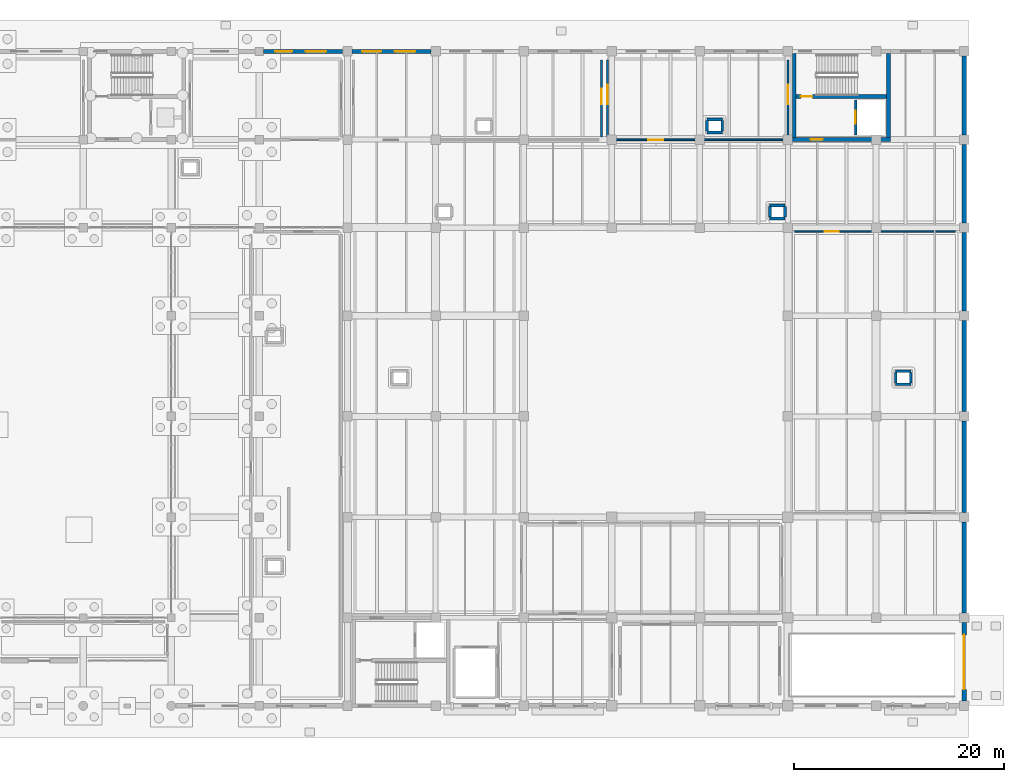
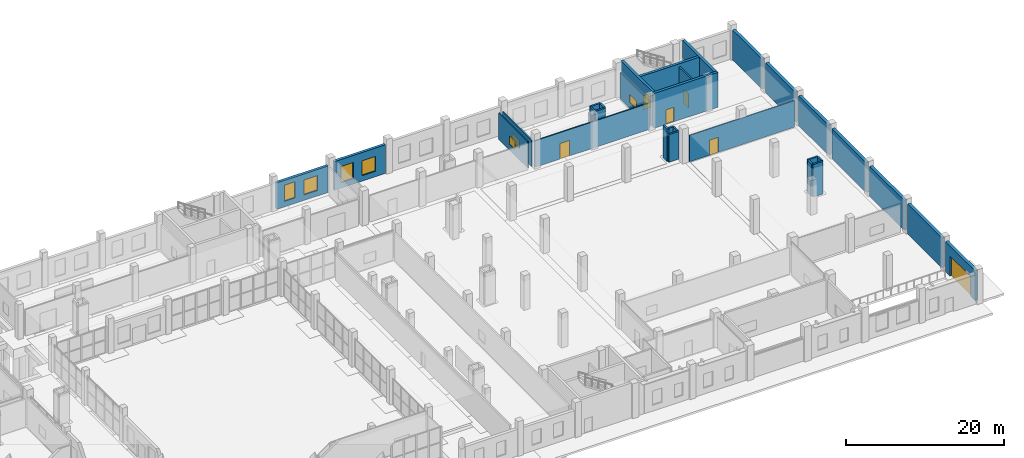
# One storey, part 48 of 65: 31 walls, 7 windows, 6 doors, 13 openings.
"""IFC4 building model written with IfcOpenShell, lengths in metres."""

from ifc_helpers import new_model, si_unit, direction, frame, frame_2d, origin, place, context, subcontext, project, spatial, rectangle, extrude, material, layer, layer_set, type_object, element, fill, save


model = new_model("IFC4")

# Units and contexts
model_context = context("Model", 3, precision=1e-05, world=origin(), true_north=direction((0.0, 1.0)))
body_context = subcontext(model_context, "Body", "Model", "MODEL_VIEW")
ifc_project = project(units=[si_unit("LENGTHUNIT", "METRE"), si_unit("AREAUNIT", "SQUARE_METRE"), si_unit("VOLUMEUNIT", "CUBIC_METRE"), si_unit("PLANEANGLEUNIT", "RADIAN"), si_unit("MASSUNIT", "GRAM", prefix="KILO")], contexts=[model_context])

# Site, building, storey
site_placement = place(None, origin())
site = spatial("IfcSite", under=ifc_project, at=site_placement, CompositionType="ELEMENT")
building_placement = place(site_placement, origin())
building = spatial("IfcBuilding", under=site, at=building_placement, Name="Zulmaris Art Gallery", CompositionType="ELEMENT")
storey_placement = place(building_placement, origin())
storey = spatial("IfcBuildingStorey", under=building, at=storey_placement, Name="L00", CompositionType="ELEMENT", Elevation=0.0)

# Wall, opening, door
ifc_material_1 = material(Name="Omani Cream Limestone Ashlar Masonry", Category="masonry")
ifc_layer_1 = layer(ifc_material_1, 0.43994140625)
ifc_layer_set_1 = layer_set([ifc_layer_1], Name="Omani Cream Limestone Ashlar Masonry")
wall_type_1 = type_object("IfcWallType", Name="ENV-WALL-EW01", PredefinedType="SOLIDWALL", material=ifc_layer_set_1)
wall_1_placement = place(storey_placement, frame((200.39990234375, 21.14794921875, 0.0), z_axis=(0.0, 0.0, 1.0), x_axis=(0.0, -1.0, 0.0)))
wall_1 = element("IfcWall", 1, at=wall_1_placement, inside=storey, type_object=wall_type_1, Name="L00 V5 Vehicle Ramp Grade Portal Wall", PredefinedType="SOLIDWALL", context=body_context, shape_type="SweptSolid", body=[
    extrude(rectangle(XDim=7.495849609375, YDim=0.43994140625, at=frame_2d((3.748046875, 0.0))), origin(), (0.0, 0.0, 1.0), 4.639892578125),
])
opening_1_placement = place(wall_1_placement, frame((1.16796875, 0.0, 0.0)))
opening_1 = element("IfcOpeningElement", 2, at=opening_1_placement, cuts=wall_1, Name="Opening RS02", PredefinedType="OPENING", context=body_context, shape_type="SweptSolid", body=[
    extrude(rectangle(XDim=5.199951171875, YDim=3.10009765625, at=frame_2d((2.60009765625, 1.550048828125))), frame((0.0, 0.22998046875, 0.0), z_axis=(0.0, -1.0, 0.0), x_axis=(1.0, 0.0, 0.0)), (0.0, 0.0, 1.0), 0.4599609375),
])
ifc_material_2 = material(Name="Perforated Bronze Basement Ramp Roller Gate", Category="steel")
door_type_1 = type_object("IfcDoorType", Name="EDOOR-RS02", OperationType="ROLLINGUP", PredefinedType="GATE", material=ifc_material_2)
door_1_placement = place(opening_1_placement, origin())
door_1 = element("IfcDoor", 3, at=door_1_placement, inside=storey, type_object=door_type_1, Name="Vehicle Ramp Grade Roller Shutter Gate RS02", OperationType="ROLLINGUP", OverallHeight=3.10009765625, OverallWidth=5.199951171875, PredefinedType="GATE", context=body_context, shape_type="SweptSolid", body=[
    extrude(rectangle(XDim=5.199951171875, YDim=3.10009765625, at=frame_2d((2.60009765625, 1.550048828125))), frame((0.0, 0.02490234375, 0.0), z_axis=(0.0, -1.0, 0.0), x_axis=(1.0, 0.0, 0.0)), (0.0, 0.0, 1.0), 0.050048828125),
])
fill(opening_1, door_1)

# Walls
wall_2_placement = place(storey_placement, frame((200.39990234375, 22.052001953125, 0.0), z_axis=(0.0, 0.0, 1.0), x_axis=(0.0, 1.0, 0.0)))
element("IfcWall", 4, at=wall_2_placement, inside=storey, type_object=wall_type_1, Name="L00 V5 East Infill Party Wall", PredefinedType="SOLIDWALL", context=body_context, shape_type="SweptSolid", body=[
    extrude(rectangle(XDim=8.696044921875, YDim=0.43994140625, at=frame_2d((4.34814453125, 0.0))), origin(), (0.0, 0.0, 1.0), 4.639892578125),
])
wall_3_placement = place(storey_placement, frame((200.39990234375, 31.652099609375, 0.0), z_axis=(0.0, 0.0, 1.0), x_axis=(0.0, 1.0, 0.0)))
element("IfcWall", 5, at=wall_3_placement, inside=storey, type_object=wall_type_1, Name="L00 V5 East Infill Party Wall", PredefinedType="SOLIDWALL", context=body_context, shape_type="SweptSolid", body=[
    extrude(rectangle(XDim=8.69580078125, YDim=0.43994140625, at=frame_2d((4.347900390625, 0.0))), origin(), (0.0, 0.0, 1.0), 4.639892578125),
])
wall_4_placement = place(storey_placement, frame((200.39990234375, 41.251953125, 0.0), z_axis=(0.0, 0.0, 1.0), x_axis=(0.0, 1.0, 0.0)))
element("IfcWall", 6, at=wall_4_placement, inside=storey, type_object=wall_type_1, Name="L00 V5 East Infill Party Wall", PredefinedType="SOLIDWALL", context=body_context, shape_type="SweptSolid", body=[
    extrude(rectangle(XDim=8.696044921875, YDim=0.43994140625, at=frame_2d((4.34814453125, 0.0))), origin(), (0.0, 0.0, 1.0), 4.639892578125),
])
wall_5_placement = place(storey_placement, frame((200.39990234375, 50.85205078125, 0.0), z_axis=(0.0, 0.0, 1.0), x_axis=(0.0, 1.0, 0.0)))
element("IfcWall", 7, at=wall_5_placement, inside=storey, type_object=wall_type_1, Name="L00 V5 East Infill Party Wall", PredefinedType="SOLIDWALL", context=body_context, shape_type="SweptSolid", body=[
    extrude(rectangle(XDim=7.495849609375, YDim=0.43994140625, at=frame_2d((3.748046875, 0.0))), origin(), (0.0, 0.0, 1.0), 4.639892578125),
])
wall_6_placement = place(storey_placement, frame((200.39990234375, 59.251953125, 0.0), z_axis=(0.0, 0.0, 1.0), x_axis=(0.0, 1.0, 0.0)))
element("IfcWall", 8, at=wall_6_placement, inside=storey, type_object=wall_type_1, Name="L00 V5 East Infill Party Wall", PredefinedType="SOLIDWALL", context=body_context, shape_type="SweptSolid", body=[
    extrude(rectangle(XDim=7.49609375, YDim=0.43994140625, at=frame_2d((3.748046875, 0.0))), origin(), (0.0, 0.0, 1.0), 4.639892578125),
])
wall_7_placement = place(storey_placement, frame((200.39990234375, 67.652099609375, 0.0), z_axis=(0.0, 0.0, 1.0), x_axis=(0.0, 1.0, 0.0)))
element("IfcWall", 9, at=wall_7_placement, inside=storey, type_object=wall_type_1, Name="L00 V5 East Infill Party Wall", PredefinedType="SOLIDWALL", context=body_context, shape_type="SweptSolid", body=[
    extrude(rectangle(XDim=7.495849609375, YDim=0.43994140625, at=frame_2d((3.748046875, 0.0))), origin(), (0.0, 0.0, 1.0), 4.639892578125),
])

# Wall, openings, windows
ifc_material_3 = material(Name="Omani Desert Rose Limestone Cladding Wall", Category="masonry")
ifc_layer_2 = layer(ifc_material_3, 0.389892578125)
ifc_layer_set_2 = layer_set([ifc_layer_2], Name="Omani Desert Rose Limestone Cladding Wall")
wall_type_2 = type_object("IfcWallType", Name="ENV-WALL-EW02", PredefinedType="SOLIDWALL", material=ifc_layer_set_2)
wall_8_placement = place(storey_placement, frame((133.60205078125, 75.60009765625, 0.0), z_axis=(0.0, 0.0, 1.0), x_axis=(1.0, 0.0, 0.0)))
wall_8 = element("IfcWall", 10, at=wall_8_placement, inside=storey, type_object=wall_type_2, Name="L00 V4 North Alley Limestone Facade (133.2..141.6)", PredefinedType="SOLIDWALL", context=body_context, shape_type="SweptSolid", body=[
    extrude(rectangle(XDim=7.5458984375, YDim=0.389892578125, at=frame_2d((3.77294921875, 0.0))), origin(), (0.0, 0.0, 1.0), 4.090087890625),
])
opening_2_placement = place(wall_8_placement, frame((1.117919921875, 0.0, 0.85009765625)))
opening_2 = element("IfcOpeningElement", 11, at=opening_2_placement, cuts=wall_8, Name="Opening W01", PredefinedType="OPENING", context=body_context, shape_type="SweptSolid", body=[
    extrude(rectangle(XDim=1.60009765625, YDim=2.5, at=frame_2d((0.800048828125, 1.25))), frame((0.0, 0.204833984375, 0.0), z_axis=(0.0, -1.0, 0.0), x_axis=(1.0, 0.0, 0.0)), (0.0, 0.0, 1.0), 0.409912109375),
])
opening_3_placement = place(wall_8_placement, frame((4.01806640625, 0.0, 0.85009765625)))
opening_3 = element("IfcOpeningElement", 12, at=opening_3_placement, cuts=wall_8, Name="Opening W08", PredefinedType="OPENING", context=body_context, shape_type="SweptSolid", body=[
    extrude(rectangle(XDim=1.949951171875, YDim=2.300048828125, at=frame_2d((0.97509765625, 1.14990234375))), frame((0.0, 0.204833984375, 0.0), z_axis=(0.0, -1.0, 0.0), x_axis=(1.0, 0.0, 0.0)), (0.0, 0.0, 1.0), 0.409912109375),
])
ifc_material_4 = material(Name="Double-Glazed Solar-Control Low-E Window", Category="glass")
window_type_1 = type_object("IfcWindowType", Name="WIN-W01", PartitioningType="SINGLE_PANEL", PredefinedType="WINDOW", material=ifc_material_4)
window_1_placement = place(opening_2_placement, origin())
window_1 = element("IfcWindow", 13, at=window_1_placement, inside=storey, type_object=window_type_1, Name="L00 exterior window W01", OverallHeight=2.5, OverallWidth=1.60009765625, PartitioningType="SINGLE_PANEL", PredefinedType="WINDOW", context=body_context, shape_type="SweptSolid", body=[
    extrude(rectangle(XDim=1.60009765625, YDim=2.5, at=frame_2d((0.800048828125, 1.25))), frame((0.0, 0.030029296875, 0.0), z_axis=(0.0, -1.0, 0.0), x_axis=(1.0, 0.0, 0.0)), (0.0, 0.0, 1.0), 0.06005859375),
])
fill(opening_2, window_1)
ifc_material_5 = material(Name="Curatorial North Studio Window", Category="glass")
window_type_2 = type_object("IfcWindowType", Name="WIN-W08", PartitioningType="SINGLE_PANEL", PredefinedType="WINDOW", material=ifc_material_5)
window_2_placement = place(opening_3_placement, origin())
window_2 = element("IfcWindow", 14, at=window_2_placement, inside=storey, type_object=window_type_2, Name="L00 exterior window W08", OverallHeight=2.300048828125, OverallWidth=1.949951171875, PartitioningType="SINGLE_PANEL", PredefinedType="WINDOW", context=body_context, shape_type="SweptSolid", body=[
    extrude(rectangle(XDim=1.949951171875, YDim=2.300048828125, at=frame_2d((0.97509765625, 1.14990234375))), frame((0.0, 0.030029296875, 0.0), z_axis=(0.0, -1.0, 0.0), x_axis=(1.0, 0.0, 0.0)), (0.0, 0.0, 1.0), 0.06005859375),
])
fill(opening_3, window_2)

wall_9_placement = place(storey_placement, frame((142.052001953125, 75.60009765625, 0.0), z_axis=(0.0, 0.0, 1.0), x_axis=(1.0, 0.0, 0.0)))
wall_9 = element("IfcWall", 15, at=wall_9_placement, inside=storey, type_object=wall_type_2, Name="L00 V5 North Studio Daylight Facade Bay 1", PredefinedType="SOLIDWALL", context=body_context, shape_type="SweptSolid", body=[
    extrude(rectangle(XDim=7.49609375, YDim=0.389892578125, at=frame_2d((3.748046875, 0.0))), origin(), (0.0, 0.0, 1.0), 4.43994140625),
])
opening_4_placement = place(wall_9_placement, frame((0.968017578125, 0.0, 0.85009765625)))
opening_4 = element("IfcOpeningElement", 16, at=opening_4_placement, cuts=wall_9, Name="Opening W02", PredefinedType="OPENING", context=body_context, shape_type="SweptSolid", body=[
    extrude(rectangle(XDim=1.800048828125, YDim=2.5, at=frame_2d((0.89990234375, 1.25))), frame((0.0, 0.204833984375, 0.0), z_axis=(0.0, -1.0, 0.0), x_axis=(1.0, 0.0, 0.0)), (0.0, 0.0, 1.0), 0.409912109375),
])
opening_5_placement = place(wall_9_placement, frame((4.068115234375, 0.0, 0.85009765625)))
opening_5 = element("IfcOpeningElement", 17, at=opening_5_placement, cuts=wall_9, Name="Opening W08", PredefinedType="OPENING", context=body_context, shape_type="SweptSolid", body=[
    extrude(rectangle(XDim=1.949951171875, YDim=2.300048828125, at=frame_2d((0.97509765625, 1.14990234375))), frame((0.0, 0.204833984375, 0.0), z_axis=(0.0, -1.0, 0.0), x_axis=(1.0, 0.0, 0.0)), (0.0, 0.0, 1.0), 0.409912109375),
])
window_type_3 = type_object("IfcWindowType", Name="WIN-W02", PartitioningType="SINGLE_PANEL", PredefinedType="WINDOW", material=ifc_material_4)
window_3_placement = place(opening_4_placement, origin())
window_3 = element("IfcWindow", 18, at=window_3_placement, inside=storey, type_object=window_type_3, Name="L00 exterior window W02", OverallHeight=2.5, OverallWidth=1.800048828125, PartitioningType="SINGLE_PANEL", PredefinedType="WINDOW", context=body_context, shape_type="SweptSolid", body=[
    extrude(rectangle(XDim=1.800048828125, YDim=2.5, at=frame_2d((0.89990234375, 1.25))), frame((0.0, 0.030029296875, 0.0), z_axis=(0.0, -1.0, 0.0), x_axis=(1.0, 0.0, 0.0)), (0.0, 0.0, 1.0), 0.06005859375),
])
fill(opening_4, window_3)
window_4_placement = place(opening_5_placement, origin())
window_4 = element("IfcWindow", 19, at=window_4_placement, inside=storey, type_object=window_type_2, Name="L00 exterior window W08", OverallHeight=2.300048828125, OverallWidth=1.949951171875, PartitioningType="SINGLE_PANEL", PredefinedType="WINDOW", context=body_context, shape_type="SweptSolid", body=[
    extrude(rectangle(XDim=1.949951171875, YDim=2.300048828125, at=frame_2d((0.97509765625, 1.14990234375))), frame((0.0, 0.030029296875, 0.0), z_axis=(0.0, -1.0, 0.0), x_axis=(1.0, 0.0, 0.0)), (0.0, 0.0, 1.0), 0.06005859375),
])
fill(opening_5, window_4)

# Wall, opening, door
ifc_material_6 = material(Name="Plywood-Backed Gallery Hanging Partition", Category="wood")
ifc_layer_3 = layer(ifc_material_6, 0.14501953125)
ifc_layer_set_3 = layer_set([ifc_layer_3], Name="Plywood-Backed Gallery Hanging Partition")
wall_type_3 = type_object("IfcWallType", Name="IWALL-PW04", PredefinedType="PARTITIONING", material=ifc_layer_set_3)
wall_10_placement = place(storey_placement, frame((184.22998046875, 58.419921875, 0.0), z_axis=(0.0, 0.0, 1.0), x_axis=(1.0, 0.0, 0.0)))
wall_10 = element("IfcWall", 20, at=wall_10_placement, inside=storey, type_object=wall_type_3, Name="Exhibition Mount-Making Workshop N partition", PredefinedType="PARTITIONING", context=body_context, shape_type="SweptSolid", body=[
    extrude(rectangle(XDim=15.340087890625, YDim=0.14501953125, at=frame_2d((7.669921875, 0.0))), origin(), (0.0, 0.0, 1.0), 4.090087890625),
])
opening_6_placement = place(wall_10_placement, frame((2.89990234375, 0.0, 0.0)))
opening_6 = element("IfcOpeningElement", 21, at=opening_6_placement, cuts=wall_10, Name="Opening D10", PredefinedType="OPENING", context=body_context, shape_type="SweptSolid", body=[
    extrude(rectangle(XDim=1.300048828125, YDim=2.320068359375, at=frame_2d((0.64990234375, 1.16015625))), frame((0.0, 0.08251953125, 0.0), z_axis=(0.0, -1.0, 0.0), x_axis=(1.0, 0.0, 0.0)), (0.0, 0.0, 1.0), 0.1650390625),
])
ifc_material_7 = material(Name="Laboratory Fume-Sealed Door", Category="steel")
door_type_2 = type_object("IfcDoorType", Name="IDOOR-D10", OperationType="NOTDEFINED", PredefinedType="DOOR", material=ifc_material_7)
door_2_placement = place(opening_6_placement, origin())
door_2 = element("IfcDoor", 22, at=door_2_placement, inside=storey, type_object=door_type_2, Name="Exhibition Mount-Making Workshop Door", OperationType="SINGLE_SWING_LEFT", OverallHeight=2.320068359375, OverallWidth=1.300048828125, PredefinedType="DOOR", context=body_context, shape_type="SweptSolid", body=[
    extrude(rectangle(XDim=1.300048828125, YDim=2.320068359375, at=frame_2d((0.64990234375, 1.16015625))), frame((0.0, 0.02490234375, 0.0), z_axis=(0.0, -1.0, 0.0), x_axis=(1.0, 0.0, 0.0)), (0.0, 0.0, 1.0), 0.050048828125),
])
fill(opening_6, door_2)

# Wall, opening, window
ifc_material_8 = material(Name="Timber-Backed Heavy Artwork Display Partition", Category="wood")
ifc_layer_4 = layer(ifc_material_8, 0.159912109375)
ifc_layer_set_4 = layer_set([ifc_layer_4], Name="Timber-Backed Heavy Artwork Display Partition")
wall_type_4 = type_object("IfcWallType", Name="IWALL-PW05", PredefinedType="PARTITIONING", material=ifc_layer_set_4)
wall_11_placement = place(storey_placement, frame((165.820068359375, 67.429931640625, 0.0), z_axis=(0.0, 0.0, 1.0), x_axis=(0.0, 1.0, 0.0)))
wall_11 = element("IfcWall", 23, at=wall_11_placement, inside=storey, type_object=wall_type_4, Name="Electrical Substation & Switchgear Hall E partition", PredefinedType="PARTITIONING", context=body_context, shape_type="SweptSolid", body=[
    extrude(rectangle(XDim=7.340087890625, YDim=0.159912109375, at=frame_2d((3.669921875, 0.0))), origin(), (0.0, 0.0, 1.0), 4.090087890625),
])
opening_7_placement = place(wall_11_placement, frame((3.14990234375, 0.0, 0.89990234375)))
opening_7 = element("IfcOpeningElement", 24, at=opening_7_placement, cuts=wall_11, Name="Opening IW01", PredefinedType="OPENING", context=body_context, shape_type="SweptSolid", body=[
    extrude(rectangle(XDim=1.47998046875, YDim=1.35009765625, at=frame_2d((0.739990234375, 0.675048828125))), frame((0.0, 0.08984375, 0.0), z_axis=(0.0, -1.0, 0.0), x_axis=(1.0, 0.0, 0.0)), (0.0, 0.0, 1.0), 0.179931640625),
])
ifc_material_9 = material(Name="Conservation Studio Viewing Window", Category="glass")
window_type_4 = type_object("IfcWindowType", Name="IWIN-IW01", PartitioningType="SINGLE_PANEL", PredefinedType="WINDOW", material=ifc_material_9)
window_5_placement = place(opening_7_placement, origin())
window_5 = element("IfcWindow", 25, at=window_5_placement, inside=storey, type_object=window_type_4, Name="L00 interior observation window IW01", OverallHeight=1.35009765625, OverallWidth=1.47998046875, PartitioningType="SINGLE_PANEL", PredefinedType="WINDOW", context=body_context, shape_type="SweptSolid", body=[
    extrude(rectangle(XDim=1.47998046875, YDim=1.35009765625, at=frame_2d((0.739990234375, 0.675048828125))), frame((0.0, 0.030029296875, 0.0), z_axis=(0.0, -1.0, 0.0), x_axis=(1.0, 0.0, 0.0)), (0.0, 0.0, 1.0), 0.06005859375),
])
fill(opening_7, window_5)

# Wall, opening, door
ifc_material_10 = material(Name="Acoustic Studio Separation Partition", Category="gypsum")
ifc_layer_5 = layer(ifc_material_10, 0.175048828125)
ifc_layer_set_5 = layer_set([ifc_layer_5], Name="Acoustic Studio Separation Partition")
wall_type_5 = type_object("IfcWallType", Name="IWALL-PW06", PredefinedType="PARTITIONING", material=ifc_layer_set_5)
wall_12_placement = place(storey_placement, frame((166.6298828125, 67.179931640625, 0.0), z_axis=(0.0, 0.0, 1.0), x_axis=(1.0, 0.0, 0.0)))
wall_12 = element("IfcWall", 26, at=wall_12_placement, inside=storey, type_object=wall_type_5, Name="Registrar & Collections Archive S partition", PredefinedType="PARTITIONING", context=body_context, shape_type="SweptSolid", body=[
    extrude(rectangle(XDim=16.740234375, YDim=0.175048828125, at=frame_2d((8.3701171875, 0.0))), origin(), (0.0, 0.0, 1.0), 4.090087890625),
])
opening_8_placement = place(wall_12_placement, frame((3.64990234375, 0.0, 0.0)))
opening_8 = element("IfcOpeningElement", 27, at=opening_8_placement, cuts=wall_12, Name="Opening D12", PredefinedType="OPENING", context=body_context, shape_type="SweptSolid", body=[
    extrude(rectangle(XDim=1.419921875, YDim=2.39990234375, at=frame_2d((0.7099609375, 1.199951171875))), frame((0.0, 0.097412109375, 0.0), z_axis=(0.0, -1.0, 0.0), x_axis=(1.0, 0.0, 0.0)), (0.0, 0.0, 1.0), 0.195068359375),
])
ifc_material_11 = material(Name="Gallery Single Curatorial Door", Category="timber")
door_type_3 = type_object("IfcDoorType", Name="IDOOR-D12", OperationType="NOTDEFINED", PredefinedType="DOOR", material=ifc_material_11)
door_3_placement = place(opening_8_placement, origin())
door_3 = element("IfcDoor", 28, at=door_3_placement, inside=storey, type_object=door_type_3, Name="Registrar & Collections Archive Door", OperationType="SINGLE_SWING_LEFT", OverallHeight=2.39990234375, OverallWidth=1.419921875, PredefinedType="DOOR", context=body_context, shape_type="SweptSolid", body=[
    extrude(rectangle(XDim=1.419921875, YDim=2.39990234375, at=frame_2d((0.7099609375, 1.199951171875))), frame((0.0, 0.02490234375, 0.0), z_axis=(0.0, -1.0, 0.0), x_axis=(1.0, 0.0, 0.0)), (0.0, 0.0, 1.0), 0.050048828125),
])
fill(opening_8, door_3)

# Wall, opening, window
wall_13_placement = place(storey_placement, frame((166.3798828125, 67.429931640625, 0.0), z_axis=(0.0, 0.0, 1.0), x_axis=(0.0, 1.0, 0.0)))
wall_13 = element("IfcWall", 29, at=wall_13_placement, inside=storey, type_object=wall_type_5, Name="Registrar & Collections Archive W partition", PredefinedType="PARTITIONING", context=body_context, shape_type="SweptSolid", body=[
    extrude(rectangle(XDim=7.340087890625, YDim=0.175048828125, at=frame_2d((3.669921875, 0.0))), origin(), (0.0, 0.0, 1.0), 4.090087890625),
])
opening_9_placement = place(wall_13_placement, frame((3.14990234375, 0.0, 0.89990234375)))
opening_9 = element("IfcOpeningElement", 30, at=opening_9_placement, cuts=wall_13, Name="Opening IW02", PredefinedType="OPENING", context=body_context, shape_type="SweptSolid", body=[
    extrude(rectangle(XDim=1.860107421875, YDim=1.280029296875, at=frame_2d((0.93017578125, 0.64013671875))), frame((0.0, 0.097412109375, 0.0), z_axis=(0.0, -1.0, 0.0), x_axis=(1.0, 0.0, 0.0)), (0.0, 0.0, 1.0), 0.195068359375),
])
ifc_material_12 = material(Name="Auditorium Booth Acoustic Window", Category="glass")
window_type_5 = type_object("IfcWindowType", Name="IWIN-IW02", PartitioningType="SINGLE_PANEL", PredefinedType="WINDOW", material=ifc_material_12)
window_6_placement = place(opening_9_placement, origin())
window_6 = element("IfcWindow", 31, at=window_6_placement, inside=storey, type_object=window_type_5, Name="L00 interior observation window IW02", OverallHeight=1.280029296875, OverallWidth=1.860107421875, PartitioningType="SINGLE_PANEL", PredefinedType="WINDOW", context=body_context, shape_type="SweptSolid", body=[
    extrude(rectangle(XDim=1.860107421875, YDim=1.280029296875, at=frame_2d((0.93017578125, 0.64013671875))), frame((0.0, 0.030029296875, 0.0), z_axis=(0.0, -1.0, 0.0), x_axis=(1.0, 0.0, 0.0)), (0.0, 0.0, 1.0), 0.06005859375),
])
fill(opening_9, window_6)

wall_14_placement = place(storey_placement, frame((183.6201171875, 67.429931640625, 0.0), z_axis=(0.0, 0.0, 1.0), x_axis=(0.0, 1.0, 0.0)))
wall_14 = element("IfcWall", 32, at=wall_14_placement, inside=storey, type_object=wall_type_5, Name="Registrar & Collections Archive E partition", PredefinedType="PARTITIONING", context=body_context, shape_type="SweptSolid", body=[
    extrude(rectangle(XDim=7.340087890625, YDim=0.175048828125, at=frame_2d((3.669921875, 0.0))), origin(), (0.0, 0.0, 1.0), 4.090087890625),
])
opening_10_placement = place(wall_14_placement, frame((3.14990234375, 0.0, 0.89990234375)))
opening_10 = element("IfcOpeningElement", 33, at=opening_10_placement, cuts=wall_14, Name="Opening IW02", PredefinedType="OPENING", context=body_context, shape_type="SweptSolid", body=[
    extrude(rectangle(XDim=1.860107421875, YDim=1.280029296875, at=frame_2d((0.93017578125, 0.64013671875))), frame((0.0, 0.097412109375, 0.0), z_axis=(0.0, -1.0, 0.0), x_axis=(1.0, 0.0, 0.0)), (0.0, 0.0, 1.0), 0.195068359375),
])
window_7_placement = place(opening_10_placement, origin())
window_7 = element("IfcWindow", 34, at=window_7_placement, inside=storey, type_object=window_type_5, Name="L00 interior observation window IW02", OverallHeight=1.280029296875, OverallWidth=1.860107421875, PartitioningType="SINGLE_PANEL", PredefinedType="WINDOW", context=body_context, shape_type="SweptSolid", body=[
    extrude(rectangle(XDim=1.860107421875, YDim=1.280029296875, at=frame_2d((0.93017578125, 0.64013671875))), frame((0.0, 0.030029296875, 0.0), z_axis=(0.0, -1.0, 0.0), x_axis=(1.0, 0.0, 0.0)), (0.0, 0.0, 1.0), 0.06005859375),
])
fill(opening_10, window_7)

# Wall, opening, door
ifc_material_13 = material(Name="Core Lobby Fire-Resisting Masonry Wall", Category="masonry")
ifc_layer_6 = layer(ifc_material_13, 0.235107421875)
ifc_layer_set_6 = layer_set([ifc_layer_6], Name="Core Lobby Fire-Resisting Masonry Wall")
wall_type_6 = type_object("IfcWallType", Name="IWALL-PW10", PredefinedType="PARTITIONING", material=ifc_layer_set_6)
wall_15_placement = place(storey_placement, frame((190.050048828125, 67.64990234375, 0.0), z_axis=(0.0, 0.0, 1.0), x_axis=(0.0, 1.0, 0.0)))
wall_15 = element("IfcWall", 35, at=wall_15_placement, inside=storey, type_object=wall_type_6, Name="LF-F1 L00 lift shaft front wall", PredefinedType="PARTITIONING", context=body_context, shape_type="SweptSolid", body=[
    extrude(rectangle(XDim=3.330078125, YDim=0.235107421875, at=frame_2d((1.6650390625, 0.0))), origin(), (0.0, 0.0, 1.0), 5.0400390625),
])
opening_11_placement = place(wall_15_placement, frame((1.054931640625, 0.0, 0.0)))
opening_11 = element("IfcOpeningElement", 36, at=opening_11_placement, cuts=wall_15, Name="Opening LD02", PredefinedType="OPENING", context=body_context, shape_type="SweptSolid", body=[
    extrude(rectangle(XDim=1.219970703125, YDim=2.239990234375, at=frame_2d((0.60986328125, 1.1201171875))), frame((0.0, 0.12744140625, 0.0), z_axis=(0.0, -1.0, 0.0), x_axis=(1.0, 0.0, 0.0)), (0.0, 0.0, 1.0), 0.255126953125),
])
ifc_material_14 = material(Name="Firefighting Lift Sliding Landing Door", Category="steel")
door_type_4 = type_object("IfcDoorType", Name="IDOOR-LD02", OperationType="SLIDING_TO_RIGHT", PredefinedType="DOOR", material=ifc_material_14)
door_4_placement = place(opening_11_placement, origin())
door_4 = element("IfcDoor", 37, at=door_4_placement, inside=storey, type_object=door_type_4, Name="LF-F1 L00 Lift Landing Sliding Door", OperationType="SLIDING_TO_RIGHT", OverallHeight=2.239990234375, OverallWidth=1.219970703125, PredefinedType="DOOR", context=body_context, shape_type="SweptSolid", body=[
    extrude(rectangle(XDim=1.219970703125, YDim=2.239990234375, at=frame_2d((0.60986328125, 1.1201171875))), frame((0.0, 0.02490234375, 0.0), z_axis=(0.0, -1.0, 0.0), x_axis=(1.0, 0.0, 0.0)), (0.0, 0.0, 1.0), 0.050048828125),
])
fill(opening_11, door_4)

# Walls
ifc_material_15 = material(Name="MEP Riser & Smoke Shaft Enclosure Wall", Category="masonry")
ifc_layer_7 = layer(ifc_material_15, 0.2548828125)
ifc_layer_set_7 = layer_set([ifc_layer_7], Name="MEP Riser & Smoke Shaft Enclosure Wall")
wall_type_7 = type_object("IfcWallType", Name="IWALL-PW11", PredefinedType="PARTITIONING", material=ifc_layer_set_7)
for number, where, z_axis, x_axis, name in (
    (38, (181.860107421875, 60.919921875, 0.0), (0.0, 0.0, 1.0), (1.0, 0.0, 0.0), "L00 MEP Riser 14 N wall"),
    (39, (181.860107421875, 59.679931640625, 0.0), (0.0, 0.0, 1.0), (1.0, 0.0, 0.0), "L00 MEP Riser 14 S wall"),
):
    element("IfcWall", number, at=place(storey_placement, frame(where, z_axis=z_axis, x_axis=x_axis)), inside=storey, type_object=wall_type_7, Name=name, PredefinedType="PARTITIONING", context=body_context, shape_type="SweptSolid", body=[
        extrude(rectangle(XDim=1.47998046875, YDim=0.2548828125, at=frame_2d((0.739990234375, 0.0))), origin(), (0.0, 0.0, 1.0), 4.2900390625),
    ])
wall_16_placement = place(storey_placement, frame((181.8798828125, 59.800048828125, 0.0), z_axis=(0.0, 0.0, 1.0), x_axis=(0.0, 1.0, 0.0)))
element("IfcWall", 40, at=wall_16_placement, inside=storey, type_object=wall_type_7, Name="L00 MEP Riser 14 W wall", PredefinedType="PARTITIONING", context=body_context, shape_type="SweptSolid", body=[
    extrude(rectangle(XDim=1.0, YDim=0.2548828125, at=frame_2d((0.5, 0.0))), origin(), (0.0, 0.0, 1.0), 5.0400390625),
])
wall_17_placement = place(storey_placement, frame((183.320068359375, 59.800048828125, 0.0), z_axis=(0.0, 0.0, 1.0), x_axis=(0.0, 1.0, 0.0)))
element("IfcWall", 41, at=wall_17_placement, inside=storey, type_object=wall_type_7, Name="L00 MEP Riser 14 E wall", PredefinedType="PARTITIONING", context=body_context, shape_type="SweptSolid", body=[
    extrude(rectangle(XDim=1.0, YDim=0.2548828125, at=frame_2d((0.5, 0.0))), origin(), (0.0, 0.0, 1.0), 4.2900390625),
])
for number, where, z_axis, x_axis, name in (
    (42, (175.860107421875, 69.1201171875, 0.0), (0.0, 0.0, 1.0), (1.0, 0.0, 0.0), "L00 MEP Riser 16 N wall"),
    (43, (175.860107421875, 67.8798828125, 0.0), (0.0, 0.0, 1.0), (1.0, 0.0, 0.0), "L00 MEP Riser 16 S wall"),
):
    element("IfcWall", number, at=place(storey_placement, frame(where, z_axis=z_axis, x_axis=x_axis)), inside=storey, type_object=wall_type_7, Name=name, PredefinedType="PARTITIONING", context=body_context, shape_type="SweptSolid", body=[
        extrude(rectangle(XDim=1.47998046875, YDim=0.2548828125, at=frame_2d((0.739990234375, 0.0))), origin(), (0.0, 0.0, 1.0), 5.0400390625),
    ])
for number, where, z_axis, x_axis, name in (
    (44, (175.8798828125, 68.0, 0.0), (0.0, 0.0, 1.0), (0.0, 1.0, 0.0), "L00 MEP Riser 16 W wall"),
    (45, (177.320068359375, 68.0, 0.0), (0.0, 0.0, 1.0), (0.0, 1.0, 0.0), "L00 MEP Riser 16 E wall"),
):
    element("IfcWall", number, at=place(storey_placement, frame(where, z_axis=z_axis, x_axis=x_axis)), inside=storey, type_object=wall_type_7, Name=name, PredefinedType="PARTITIONING", context=body_context, shape_type="SweptSolid", body=[
        extrude(rectangle(XDim=1.0, YDim=0.2548828125, at=frame_2d((0.5, 0.0))), origin(), (0.0, 0.0, 1.0), 5.0400390625),
    ])
for number, where, z_axis, x_axis, name in (
    (46, (193.860107421875, 45.1201171875, 0.0), (0.0, 0.0, 1.0), (1.0, 0.0, 0.0), "L00 MEP Riser 18 N wall"),
    (47, (193.860107421875, 43.8798828125, 0.0), (0.0, 0.0, 1.0), (1.0, 0.0, 0.0), "L00 MEP Riser 18 S wall"),
):
    element("IfcWall", number, at=place(storey_placement, frame(where, z_axis=z_axis, x_axis=x_axis)), inside=storey, type_object=wall_type_7, Name=name, PredefinedType="PARTITIONING", context=body_context, shape_type="SweptSolid", body=[
        extrude(rectangle(XDim=1.47998046875, YDim=0.2548828125, at=frame_2d((0.739990234375, 0.0))), origin(), (0.0, 0.0, 1.0), 5.0400390625),
    ])
for number, where, z_axis, x_axis, name in (
    (48, (193.8798828125, 44.0, 0.0), (0.0, 0.0, 1.0), (0.0, 1.0, 0.0), "L00 MEP Riser 18 W wall"),
    (49, (195.320068359375, 44.0, 0.0), (0.0, 0.0, 1.0), (0.0, 1.0, 0.0), "L00 MEP Riser 18 E wall"),
):
    element("IfcWall", number, at=place(storey_placement, frame(where, z_axis=z_axis, x_axis=x_axis)), inside=storey, type_object=wall_type_7, Name=name, PredefinedType="PARTITIONING", context=body_context, shape_type="SweptSolid", body=[
        extrude(rectangle(XDim=1.0, YDim=0.2548828125, at=frame_2d((0.5, 0.0))), origin(), (0.0, 0.0, 1.0), 5.0400390625),
    ])

# Wall, opening, door
ifc_material_16 = material(Name="Concrete C50/60", Category="concrete")
ifc_layer_8 = layer(ifc_material_16, 0.3798828125)
ifc_layer_set_8 = layer_set([ifc_layer_8], Name="Concrete C50/60")
wall_type_8 = type_object("IfcWallType", Name="STR-WALL-SW02", PredefinedType="SHEAR", material=ifc_layer_set_8)
wall_18_placement = place(storey_placement, frame((184.010009765625, 67.199951171875, 0.0), z_axis=(0.0, 0.0, 1.0), x_axis=(1.0, 0.0, 0.0)))
wall_18 = element("IfcWall", 50, at=wall_18_placement, inside=storey, type_object=wall_type_8, Name="Core C4 L00 S shear wall", PredefinedType="SHEAR", context=body_context, shape_type="SweptSolid", body=[
    extrude(rectangle(XDim=9.3798828125, YDim=0.3798828125, at=frame_2d((4.68994140625, 0.0))), origin(), (0.0, 0.0, 1.0), 5.39990234375),
])
opening_12_placement = place(wall_18_placement, frame((1.75, 0.0, 0.0)))
opening_12 = element("IfcOpeningElement", 51, at=opening_12_placement, cuts=wall_18, Name="Opening D08", PredefinedType="OPENING", context=body_context, shape_type="SweptSolid", body=[
    extrude(rectangle(XDim=1.179931640625, YDim=2.239990234375, at=frame_2d((0.58984375, 1.1201171875))), frame((0.0, 0.199951171875, 0.0), z_axis=(0.0, -1.0, 0.0), x_axis=(1.0, 0.0, 0.0)), (0.0, 0.0, 1.0), 0.39990234375),
])
ifc_material_17 = material(Name="Firefighting Lobby Compartment Door", Category="steel")
door_type_5 = type_object("IfcDoorType", Name="IDOOR-D08", OperationType="NOTDEFINED", PredefinedType="DOOR", material=ifc_material_17)
door_5_placement = place(opening_12_placement, origin())
door_5 = element("IfcDoor", 52, at=door_5_placement, inside=storey, type_object=door_type_5, Name="Core C4 L00 Lobby Compartment Door", OperationType="SINGLE_SWING_RIGHT", OverallHeight=2.239990234375, OverallWidth=1.179931640625, PredefinedType="DOOR", context=body_context, shape_type="SweptSolid", body=[
    extrude(rectangle(XDim=1.179931640625, YDim=2.239990234375, at=frame_2d((0.58984375, 1.1201171875))), frame((0.0, 0.02490234375, 0.0), z_axis=(0.0, -1.0, 0.0), x_axis=(1.0, 0.0, 0.0)), (0.0, 0.0, 1.0), 0.050048828125),
])
fill(opening_12, door_5)

# Walls
for number, where, z_axis, x_axis, name in (
    (53, (184.199951171875, 67.389892578125, 0.0), (0.0, 0.0, 1.0), (0.0, 1.0, 0.0), "Core C4 L00 W shear wall"),
    (54, (193.199951171875, 67.389892578125, 0.0), (0.0, 0.0, 1.0), (0.0, 1.0, 0.0), "Core C4 L00 E shear wall"),
):
    element("IfcWall", number, at=place(storey_placement, frame(where, z_axis=z_axis, x_axis=x_axis)), inside=storey, type_object=wall_type_8, Name=name, PredefinedType="SHEAR", context=body_context, shape_type="SweptSolid", body=[
        extrude(rectangle(XDim=8.02001953125, YDim=0.3798828125, at=frame_2d((4.010009765625, 0.0))), origin(), (0.0, 0.0, 1.0), 5.39990234375),
    ])

# Wall, opening, door
wall_19_placement = place(storey_placement, frame((184.389892578125, 71.2900390625, 0.0), z_axis=(0.0, 0.0, 1.0), x_axis=(1.0, 0.0, 0.0)))
wall_19 = element("IfcWall", 55, at=wall_19_placement, inside=storey, type_object=wall_type_8, Name="Core C4 L00 DIV shear wall", PredefinedType="SHEAR", context=body_context, shape_type="SweptSolid", body=[
    extrude(rectangle(XDim=8.6201171875, YDim=0.3798828125, at=frame_2d((4.31005859375, 0.0))), origin(), (0.0, 0.0, 1.0), 5.39990234375),
])
opening_13_placement = place(wall_19_placement, frame((0.449951171875, 0.0, 0.0)))
opening_13 = element("IfcOpeningElement", 56, at=opening_13_placement, cuts=wall_19, Name="Opening D07", PredefinedType="OPENING", context=body_context, shape_type="SweptSolid", body=[
    extrude(rectangle(XDim=1.080078125, YDim=2.179931640625, at=frame_2d((0.5400390625, 1.08984375))), frame((0.0, 0.199951171875, 0.0), z_axis=(0.0, -1.0, 0.0), x_axis=(1.0, 0.0, 0.0)), (0.0, 0.0, 1.0), 0.39990234375),
])
ifc_material_18 = material(Name="Stairwell Fire Escape Door", Category="steel")
door_type_6 = type_object("IfcDoorType", Name="IDOOR-D07", OperationType="NOTDEFINED", PredefinedType="DOOR", material=ifc_material_18)
door_6_placement = place(opening_13_placement, origin())
door_6 = element("IfcDoor", 57, at=door_6_placement, inside=storey, type_object=door_type_6, Name="Core C4 L00 Stair ST4 Fire Door", OperationType="SINGLE_SWING_LEFT", OverallHeight=2.179931640625, OverallWidth=1.080078125, PredefinedType="DOOR", context=body_context, shape_type="SweptSolid", body=[
    extrude(rectangle(XDim=1.080078125, YDim=2.179931640625, at=frame_2d((0.5400390625, 1.08984375))), frame((0.0, 0.02490234375, 0.0), z_axis=(0.0, -1.0, 0.0), x_axis=(1.0, 0.0, 0.0)), (0.0, 0.0, 1.0), 0.050048828125),
])
fill(opening_13, door_6)

save(model, "model.ifc")
